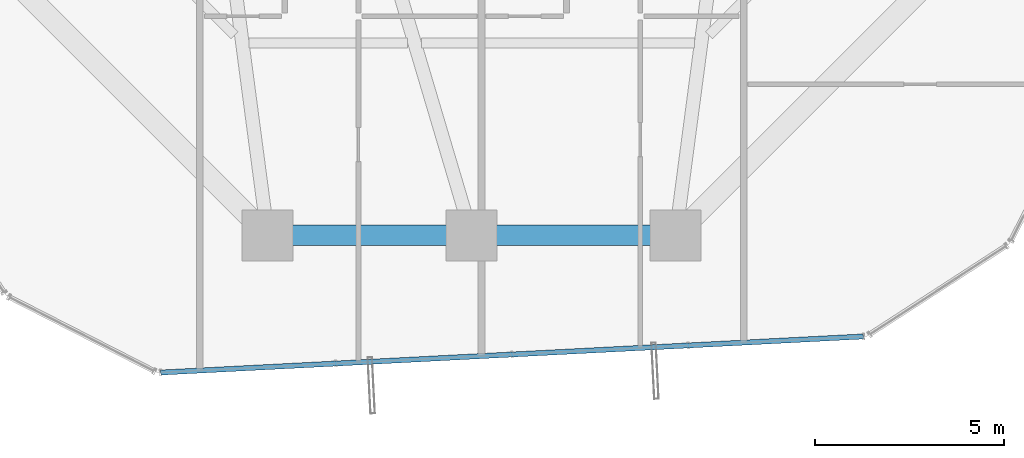
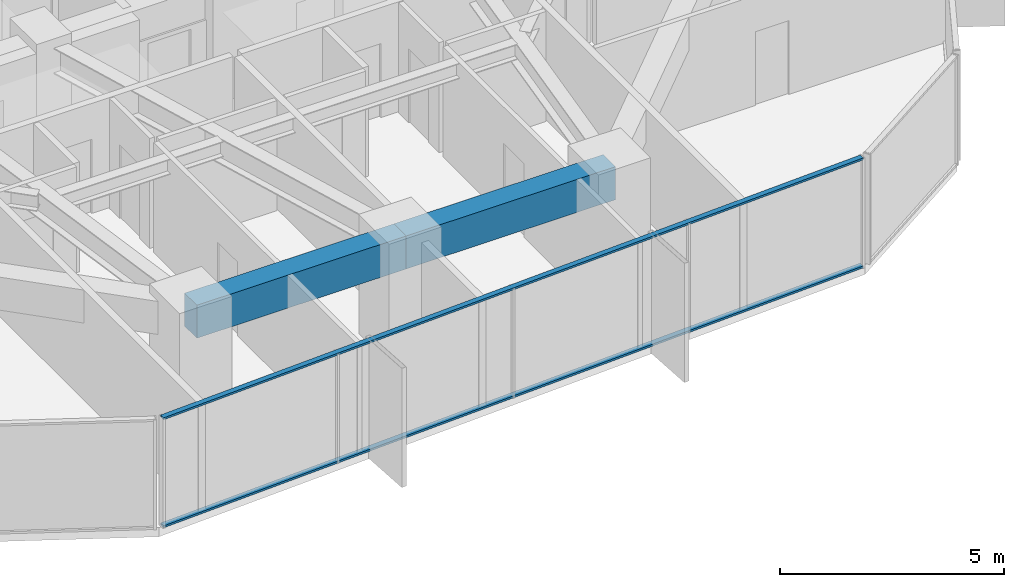
# One storey, part 7 of 37: 2 beams, 2 members, 1 element without a shape of its own.
"""IFC4 building model written with IfcOpenShell, lengths in metres."""

from ifc_helpers import new_model, si_unit, direction, frame, origin, origin_2d, place, context, subcontext, project, spatial, rectangle, hollow_rectangle, extrude, source, transform, mapped, material, layer, layer_set, material_profile, profile_set, type_object, element, aggregate, save


model = new_model("IFC4")

# Units and contexts
model_context = context("Model", 3, precision=1e-05, world=origin(), true_north=direction((0.0, 1.0)))
body_context = subcontext(model_context, "Body", "Model", "MODEL_VIEW")
ifc_project = project(units=[si_unit("LENGTHUNIT", "METRE"), si_unit("AREAUNIT", "SQUARE_METRE"), si_unit("VOLUMEUNIT", "CUBIC_METRE"), si_unit("PLANEANGLEUNIT", "RADIAN"), si_unit("MASSUNIT", "GRAM", prefix="KILO")], contexts=[model_context])

# Site, building, storey
site_placement = place(None, origin())
site = spatial("IfcSite", under=ifc_project, at=site_placement, CompositionType="ELEMENT")
building_placement = place(site_placement, origin())
building = spatial("IfcBuilding", under=site, at=building_placement, Name="Veraguas Prism Commons", CompositionType="ELEMENT")
storey_placement = place(building_placement, frame((0.0, 0.0, 33.800048828125)))
storey = spatial("IfcBuildingStorey", under=building, at=storey_placement, Name="L08", CompositionType="ELEMENT", Elevation=33.800048828125)

# Beams
ifc_material_1 = material(Name="Concrete C50/60", Category="concrete")
ifc_material_profile_1 = material_profile(ifc_material_1, rectangle(XDim=0.550048828125, YDim=0.89990234375, at=origin_2d()), Name="RC550X900")
ifc_profile_set_1 = profile_set([ifc_material_profile_1], Name="Concrete C50/60")
beam_type = type_object("IfcBeamType", Name="Perimeter Spandrel Lower RC 550x900", PredefinedType="SPANDREL", material=ifc_profile_set_1)
for number, where, z_axis, x_axis, name in (
    (1, (18.60009765625, 6.39990234375, 2.550048828125), (1.0, 0.0, 0.0), (0.0, 1.0, 0.0), "Perimeter Spandrel Beam L08-SP10"),
    (2, (24.0, 6.39990234375, 2.550048828125), (1.0, 0.0, 0.0), (0.0, 1.0, 0.0), "Perimeter Spandrel Beam L08-SP11"),
):
    element("IfcBeam", number, at=place(storey_placement, frame(where, z_axis=z_axis, x_axis=x_axis)), inside=storey, type_object=beam_type, Name=name, PredefinedType="SPANDREL", context=body_context, shape_type="SweptSolid", body=[
        extrude(rectangle(XDim=0.550048828125, YDim=0.89990234375, at=origin_2d()), origin(), (0.0, 0.0, 1.0), 5.39990234375),
    ])

# Curtain wall, members
ifc_material_2 = material(Name="Anodised aluminium EN AW-6063 T6", Category="aluminium")
ifc_layer = layer(ifc_material_2, 0.169921875, Name="Unitised Flush Curtain Wall Zone 1", Category="aluminium")
ifc_layer_set = layer_set([ifc_layer], Name="Anodised aluminium EN AW-6063 T6")
curtain_wall_type = type_object("IfcCurtainWallType", Name="Unitised Flush Curtain Wall Zone 1", PredefinedType="NOTDEFINED", material=ifc_layer_set)
curtain_wall_placement = place(storey_placement, origin())
curtain_wall = element("IfcCurtainWall", 3, at=curtain_wall_placement, inside=storey, type_object=curtain_wall_type, Name="Tower Facade Curtain Wall L08-F5", PredefinedType="NOTDEFINED")
ifc_material_profile_2 = material_profile(ifc_material_2, hollow_rectangle(XDim=0.054931640625, YDim=0.135009765625, WallThickness=0.0029296875, at=origin_2d()), Name="AL55X135X3")
ifc_profile_set_2 = profile_set([ifc_material_profile_2], Name="Anodised aluminium EN AW-6063 T6")
member_type = type_object("IfcMemberType", Name="Curtain Wall Transom Standard AL 55x135x3", PredefinedType="USERDEFINED", material=ifc_profile_set_2)
shared_shape = source(origin(), body_context, "Body", "SweptSolid", [
    extrude(hollow_rectangle(XDim=0.054931640625, YDim=0.135009765625, WallThickness=0.0029296875, at=origin_2d()), origin(), (0.0, 0.0, 1.0), 18.623779296875),
])
member_1_placement = place(storey_placement, frame((15.766357421875, 2.76513671875, 0.02734375), z_axis=(0.998683516902, 0.051295546272, 0.0), x_axis=(0.0, 0.0, 1.0)))
member_1 = element("IfcMember", 4, at=member_1_placement, type_object=member_type, Name="CW-Z1 Transom 1", ObjectType="TRANSOM", PredefinedType="USERDEFINED", context=body_context, shape_type="MappedRepresentation", body=[
    mapped(shared_shape, transform((0.0, 0.0, 0.0), scale=1.0)),
])
member_2_placement = place(storey_placement, frame((15.766357421875, 2.76513671875, 2.972412109375), z_axis=(0.998683516902, 0.051295546272, 0.0), x_axis=(0.0, 0.0, 1.0)))
member_2 = element("IfcMember", 5, at=member_2_placement, type_object=member_type, Name="CW-Z1 Transom 2", ObjectType="TRANSOM", PredefinedType="USERDEFINED", context=body_context, shape_type="MappedRepresentation", body=[
    mapped(shared_shape, transform((0.0, 0.0, 0.0), scale=1.0)),
])
aggregate(curtain_wall, [member_1, member_2])

save(model, "model.ifc")
